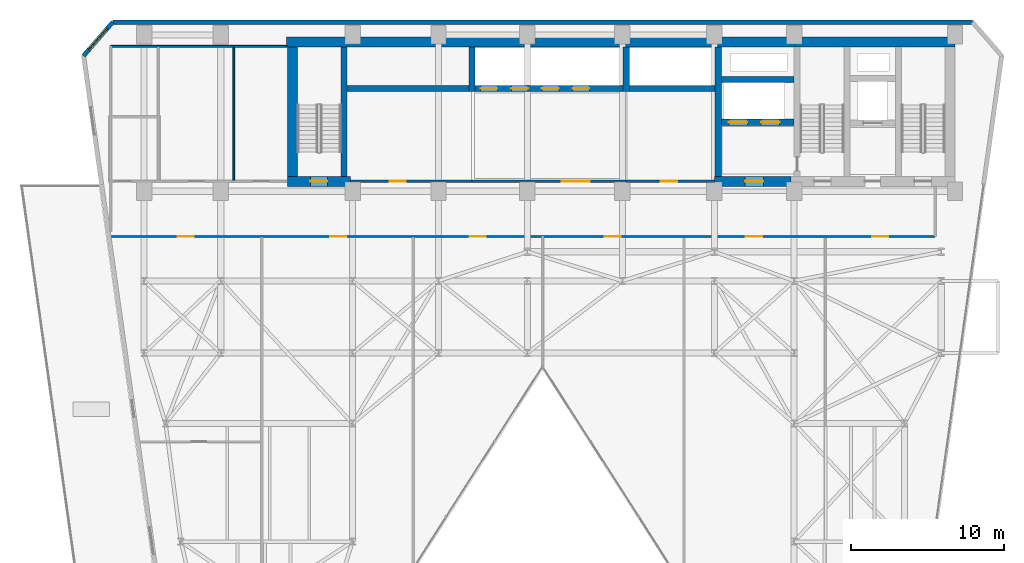
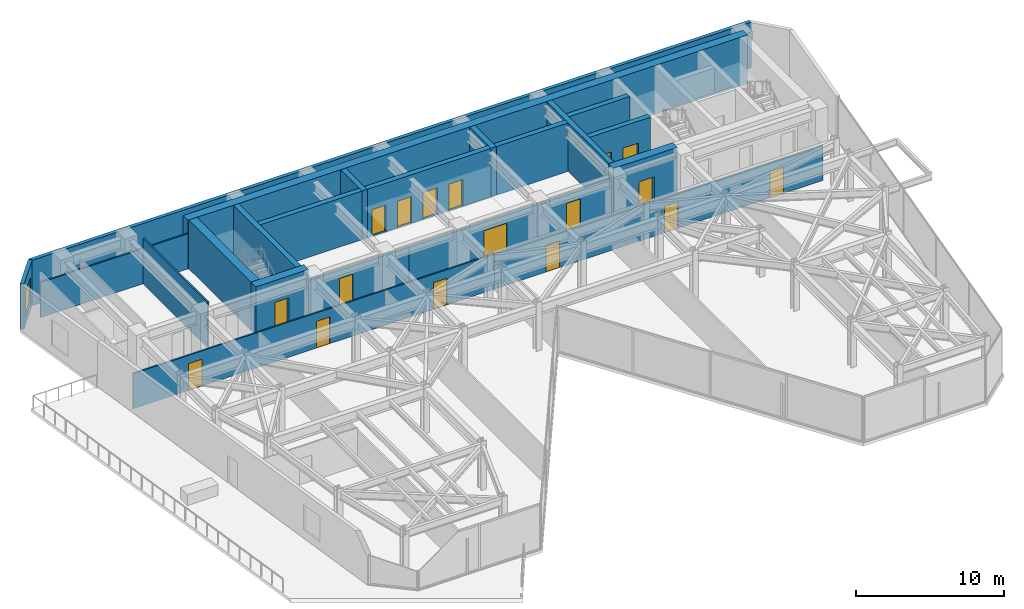
# One storey, part 20 of 24: 22 walls, 17 doors, 1 window, 18 openings.
"""IFC4 building model written with IfcOpenShell, lengths in metres."""

from ifc_helpers import new_model, si_unit, direction, frame, frame_2d, origin, place, context, subcontext, project, spatial, rectangle, extrude, material, layer, layer_set, type_object, element, fill, save


model = new_model("IFC4")

# Units and contexts
model_context = context("Model", 3, precision=1e-05, world=origin(), true_north=direction((0.0, 1.0)))
body_context = subcontext(model_context, "Body", "Model", "MODEL_VIEW")
ifc_project = project(units=[si_unit("LENGTHUNIT", "METRE"), si_unit("AREAUNIT", "SQUARE_METRE"), si_unit("VOLUMEUNIT", "CUBIC_METRE"), si_unit("PLANEANGLEUNIT", "RADIAN"), si_unit("MASSUNIT", "GRAM", prefix="KILO")], contexts=[model_context])

# Site, building, storey
site_placement = place(None, origin())
site = spatial("IfcSite", under=ifc_project, at=site_placement, CompositionType="ELEMENT")
building_placement = place(site_placement, origin())
building = spatial("IfcBuilding", under=site, at=building_placement, Name="Kravanh Interchange Tower", CompositionType="ELEMENT")
storey_placement = place(building_placement, frame((0.0, 0.0, 96.0)))
storey = spatial("IfcBuildingStorey", under=building, at=storey_placement, Name="L22", CompositionType="ELEMENT", Elevation=96.0)

# Walls
ifc_material_1 = material(Name="Double Acoustic Gypsum Board and Mineral Wool")
ifc_layer_1 = layer(ifc_material_1, 0.1201171875)
ifc_layer_set_1 = layer_set([ifc_layer_1], Name="Acoustic Office Drywall Partition 120mm")
wall_type_1 = type_object("IfcWallType", Name="Acoustic Office Drywall Partition 120mm", PredefinedType="PARTITIONING", material=ifc_layer_set_1)
wall_1_placement = place(storey_placement, frame((11.419921875, 46.800048828125, 0.0), z_axis=(0.0, 0.0, 1.0), x_axis=(1.0, 0.0, 0.0)))
element("IfcWall", 1, at=wall_1_placement, inside=storey, type_object=wall_type_1, Name="L22 Restroom North Enclosure 6", PredefinedType="PARTITIONING", context=body_context, shape_type="SweptSolid", body=[
    extrude(rectangle(XDim=11.47998046875, YDim=0.1201171875, at=frame_2d((5.739990234375, 0.0))), origin(), (0.0, 0.0, 1.0), 2.89404296875),
])
wall_2_placement = place(storey_placement, frame((19.449951171875, 38.068115234375, 0.0), z_axis=(0.0, 0.0, 1.0), x_axis=(0.0, 1.0, 0.0)))
element("IfcWall", 2, at=wall_2_placement, inside=storey, type_object=wall_type_1, Name="L22 Interior Partition 8", PredefinedType="PARTITIONING", context=body_context, shape_type="SweptSolid", body=[
    extrude(rectangle(XDim=8.663818359375, YDim=0.1201171875, at=frame_2d((4.33203125, 0.0))), origin(), (0.0, 0.0, 1.0), 3.75),
])

# Wall, openings, doors
wall_3_placement = place(storey_placement, frame((11.469482421875, 34.39990234375, 0.0), z_axis=(0.0, 0.0, 1.0), x_axis=(1.0, 0.0, 0.0)))
wall_3 = element("IfcWall", 3, at=wall_3_placement, inside=storey, type_object=wall_type_1, Name="L22 Interior Partition 10", PredefinedType="PARTITIONING", context=body_context, shape_type="SweptSolid", body=[
    extrude(rectangle(XDim=28.130615234375, YDim=0.1201171875, at=frame_2d((14.0654296875, 0.0))), origin(), (0.0, 0.0, 1.0), 2.89404296875),
])
opening_1_placement = place(wall_3_placement, frame((4.315185546875, 0.0, 0.0)))
opening_1 = element("IfcOpeningElement", 4, at=opening_1_placement, cuts=wall_3, Name="Opening D-105", PredefinedType="OPENING", context=body_context, shape_type="SweptSolid", body=[
    extrude(rectangle(XDim=1.050048828125, YDim=2.199951171875, at=frame_2d((0.52490234375, 1.10009765625))), frame((0.0, 0.070068359375, 0.0), z_axis=(0.0, -1.0, 0.0), x_axis=(1.0, 0.0, 0.0)), (0.0, 0.0, 1.0), 0.14013671875),
])
opening_2_placement = place(wall_3_placement, frame((14.260986328125, 0.0, 0.0)))
opening_2 = element("IfcOpeningElement", 5, at=opening_2_placement, cuts=wall_3, Name="Opening D-105", PredefinedType="OPENING", context=body_context, shape_type="SweptSolid", body=[
    extrude(rectangle(XDim=1.050048828125, YDim=2.199951171875, at=frame_2d((0.52490234375, 1.10009765625))), frame((0.0, 0.070068359375, 0.0), z_axis=(0.0, -1.0, 0.0), x_axis=(1.0, 0.0, 0.0)), (0.0, 0.0, 1.0), 0.14013671875),
])
opening_3_placement = place(wall_3_placement, frame((23.380615234375, 0.0, 0.0)))
opening_3 = element("IfcOpeningElement", 6, at=opening_3_placement, cuts=wall_3, Name="Opening D-105", PredefinedType="OPENING", context=body_context, shape_type="SweptSolid", body=[
    extrude(rectangle(XDim=1.050048828125, YDim=2.199951171875, at=frame_2d((0.52490234375, 1.10009765625))), frame((0.0, 0.070068359375, 0.0), z_axis=(0.0, -1.0, 0.0), x_axis=(1.0, 0.0, 0.0)), (0.0, 0.0, 1.0), 0.14013671875),
])
ifc_material_2 = material(Name="Acoustic Glazed Oak and Aluminium", Category="aluminium")
door_type_1 = type_object("IfcDoorType", Name="Office Workplace Door 1050x2200", OperationType="NOTDEFINED", PredefinedType="DOOR", material=ifc_material_2)
door_1_placement = place(opening_1_placement, origin())
door_1 = element("IfcDoor", 7, at=door_1_placement, inside=storey, type_object=door_type_1, Name="L22 West Partner Office Door", OperationType="SINGLE_SWING_LEFT", OverallHeight=2.199951171875, OverallWidth=1.050048828125, PredefinedType="DOOR", context=body_context, shape_type="SweptSolid", body=[
    extrude(rectangle(XDim=1.050048828125, YDim=2.199951171875, at=frame_2d((0.52490234375, 1.10009765625))), frame((0.0, 0.02490234375, 0.0), z_axis=(0.0, -1.0, 0.0), x_axis=(1.0, 0.0, 0.0)), (0.0, 0.0, 1.0), 0.050048828125),
])
fill(opening_1, door_1)
door_2_placement = place(opening_2_placement, origin())
door_2 = element("IfcDoor", 8, at=door_2_placement, inside=storey, type_object=door_type_1, Name="L22 West Associates Office Door", OperationType="SINGLE_SWING_LEFT", OverallHeight=2.199951171875, OverallWidth=1.050048828125, PredefinedType="DOOR", context=body_context, shape_type="SweptSolid", body=[
    extrude(rectangle(XDim=1.050048828125, YDim=2.199951171875, at=frame_2d((0.52490234375, 1.10009765625))), frame((0.0, 0.02490234375, 0.0), z_axis=(0.0, -1.0, 0.0), x_axis=(1.0, 0.0, 0.0)), (0.0, 0.0, 1.0), 0.050048828125),
])
fill(opening_2, door_2)
door_3_placement = place(opening_3_placement, origin())
door_3 = element("IfcDoor", 9, at=door_3_placement, inside=storey, type_object=door_type_1, Name="L22 Notch View Office Door", OperationType="SINGLE_SWING_RIGHT", OverallHeight=2.199951171875, OverallWidth=1.050048828125, PredefinedType="DOOR", context=body_context, shape_type="SweptSolid", body=[
    extrude(rectangle(XDim=1.050048828125, YDim=2.199951171875, at=frame_2d((0.52490234375, 1.10009765625))), frame((0.0, 0.02490234375, 0.0), z_axis=(0.0, -1.0, 0.0), x_axis=(1.0, 0.0, 0.0)), (0.0, 0.0, 1.0), 0.050048828125),
])
fill(opening_3, door_3)

wall_4_placement = place(storey_placement, frame((39.60009765625, 34.39990234375, 0.0), z_axis=(0.0, 0.0, 1.0), x_axis=(1.0, 0.0, 0.0)))
wall_4 = element("IfcWall", 10, at=wall_4_placement, inside=storey, type_object=wall_type_1, Name="L22 Interior Partition 11", PredefinedType="PARTITIONING", context=body_context, shape_type="SweptSolid", body=[
    extrude(rectangle(XDim=25.599853515625, YDim=0.1201171875, at=frame_2d((12.7998046875, 0.0))), origin(), (0.0, 0.0, 1.0), 2.89404296875),
])
opening_4_placement = place(wall_4_placement, frame((4.044677734375, 0.0, 0.0)))
opening_4 = element("IfcOpeningElement", 11, at=opening_4_placement, cuts=wall_4, Name="Opening D-105", PredefinedType="OPENING", context=body_context, shape_type="SweptSolid", body=[
    extrude(rectangle(XDim=1.050048828125, YDim=2.199951171875, at=frame_2d((0.52490234375, 1.10009765625))), frame((0.0, 0.070068359375, 0.0), z_axis=(0.0, -1.0, 0.0), x_axis=(1.0, 0.0, 0.0)), (0.0, 0.0, 1.0), 0.14013671875),
])
opening_5_placement = place(wall_4_placement, frame((13.259765625, 0.0, 0.0)))
opening_5 = element("IfcOpeningElement", 12, at=opening_5_placement, cuts=wall_4, Name="Opening D-105", PredefinedType="OPENING", context=body_context, shape_type="SweptSolid", body=[
    extrude(rectangle(XDim=1.050048828125, YDim=2.199951171875, at=frame_2d((0.52490234375, 1.10009765625))), frame((0.0, 0.070068359375, 0.0), z_axis=(0.0, -1.0, 0.0), x_axis=(1.0, 0.0, 0.0)), (0.0, 0.0, 1.0), 0.14013671875),
])
opening_6_placement = place(wall_4_placement, frame((21.489990234375, 0.0, 0.0)))
opening_6 = element("IfcOpeningElement", 13, at=opening_6_placement, cuts=wall_4, Name="Opening D-105", PredefinedType="OPENING", context=body_context, shape_type="SweptSolid", body=[
    extrude(rectangle(XDim=1.050048828125, YDim=2.199951171875, at=frame_2d((0.52490234375, 1.10009765625))), frame((0.0, 0.070068359375, 0.0), z_axis=(0.0, -1.0, 0.0), x_axis=(1.0, 0.0, 0.0)), (0.0, 0.0, 1.0), 0.14013671875),
])
door_4_placement = place(opening_4_placement, origin())
door_4 = element("IfcDoor", 14, at=door_4_placement, inside=storey, type_object=door_type_1, Name="L22 Central Executive Office Door", OperationType="SINGLE_SWING_LEFT", OverallHeight=2.199951171875, OverallWidth=1.050048828125, PredefinedType="DOOR", context=body_context, shape_type="SweptSolid", body=[
    extrude(rectangle(XDim=1.050048828125, YDim=2.199951171875, at=frame_2d((0.52490234375, 1.10009765625))), frame((0.0, 0.02490234375, 0.0), z_axis=(0.0, -1.0, 0.0), x_axis=(1.0, 0.0, 0.0)), (0.0, 0.0, 1.0), 0.050048828125),
])
fill(opening_4, door_4)
door_5_placement = place(opening_5_placement, origin())
door_5 = element("IfcDoor", 15, at=door_5_placement, inside=storey, type_object=door_type_1, Name="L22 East Balcony Office Door", OperationType="SINGLE_SWING_RIGHT", OverallHeight=2.199951171875, OverallWidth=1.050048828125, PredefinedType="DOOR", context=body_context, shape_type="SweptSolid", body=[
    extrude(rectangle(XDim=1.050048828125, YDim=2.199951171875, at=frame_2d((0.52490234375, 1.10009765625))), frame((0.0, 0.02490234375, 0.0), z_axis=(0.0, -1.0, 0.0), x_axis=(1.0, 0.0, 0.0)), (0.0, 0.0, 1.0), 0.050048828125),
])
fill(opening_5, door_5)
door_6_placement = place(opening_6_placement, origin())
door_6 = element("IfcDoor", 16, at=door_6_placement, inside=storey, type_object=door_type_1, Name="L22 SE Corner Lounge Door", OperationType="SINGLE_SWING_LEFT", OverallHeight=2.199951171875, OverallWidth=1.050048828125, PredefinedType="DOOR", context=body_context, shape_type="SweptSolid", body=[
    extrude(rectangle(XDim=1.050048828125, YDim=2.199951171875, at=frame_2d((0.52490234375, 1.10009765625))), frame((0.0, 0.02490234375, 0.0), z_axis=(0.0, -1.0, 0.0), x_axis=(1.0, 0.0, 0.0)), (0.0, 0.0, 1.0), 0.050048828125),
])
fill(opening_6, door_6)

# Wall
ifc_material_3 = material(Name="Concrete C70/85", Category="concrete")
ifc_layer_2 = layer(ifc_material_3, 0.64990234375)
ifc_layer_set_2 = layer_set([ifc_layer_2], Name="Core Shear Wall Concrete C70/85 650mm")
wall_type_2 = type_object("IfcWallType", Name="Core Shear Wall Concrete C70/85 650mm", PredefinedType="SHEAR", material=ifc_layer_set_2)
wall_5_placement = place(storey_placement, frame((22.89990234375, 47.074951171875, 0.0), z_axis=(0.0, 0.0, 1.0), x_axis=(1.0, 0.0, 0.0)))
element("IfcWall", 17, at=wall_5_placement, inside=storey, type_object=wall_type_2, Name="L22 North Core Shear Wall", PredefinedType="SHEAR", context=body_context, shape_type="SweptSolid", body=[
    extrude(rectangle(XDim=43.60009765625, YDim=0.64990234375, at=frame_2d((21.800048828125, 0.0))), origin(), (0.0, 0.0, 1.0), 4.0),
])

# Wall, opening, door
wall_6_placement = place(storey_placement, frame((50.800048828125, 38.0, 0.0), z_axis=(0.0, 0.0, 1.0), x_axis=(1.0, 0.0, 0.0)))
wall_6 = element("IfcWall", 18, at=wall_6_placement, inside=storey, type_object=wall_type_2, Name="L22 Firefighting Lobby South Shear Wall", PredefinedType="SHEAR", context=body_context, shape_type="SweptSolid", body=[
    extrude(rectangle(XDim=5.0, YDim=0.64990234375, at=frame_2d((2.5, 0.0))), origin(), (0.0, 0.0, 1.0), 4.0),
])
opening_7_placement = place(wall_6_placement, frame((2.0, 0.0, 0.0)))
opening_7 = element("IfcOpeningElement", 19, at=opening_7_placement, cuts=wall_6, Name="Opening D-FSAE-120", PredefinedType="OPENING", context=body_context, shape_type="SweptSolid", body=[
    extrude(rectangle(XDim=1.199951171875, YDim=2.199951171875, at=frame_2d((0.60009765625, 1.10009765625))), frame((0.0, 0.3349609375, 0.0), z_axis=(0.0, -1.0, 0.0), x_axis=(1.0, 0.0, 0.0)), (0.0, 0.0, 1.0), 0.669921875),
])
ifc_material_4 = material(Name="Structural Steel S355", Category="steel")
door_type_2 = type_object("IfcDoorType", Name="Fire-Rated Refuge and FSAE Door 1200x2200", OperationType="NOTDEFINED", PredefinedType="DOOR", material=ifc_material_4)
door_7_placement = place(opening_7_placement, origin())
door_7 = element("IfcDoor", 20, at=door_7_placement, inside=storey, type_object=door_type_2, Name="L22 Firefighting Lobby Corridor Door", OperationType="SINGLE_SWING_RIGHT", OverallHeight=2.199951171875, OverallWidth=1.199951171875, PredefinedType="DOOR", context=body_context, shape_type="SweptSolid", body=[
    extrude(rectangle(XDim=1.199951171875, YDim=2.199951171875, at=frame_2d((0.60009765625, 1.10009765625))), frame((0.0, 0.02490234375, 0.0), z_axis=(0.0, -1.0, 0.0), x_axis=(1.0, 0.0, 0.0)), (0.0, 0.0, 1.0), 0.050048828125),
])
fill(opening_7, door_7)

wall_7_placement = place(storey_placement, frame((22.949951171875, 38.0, 0.0), z_axis=(0.0, 0.0, 1.0), x_axis=(1.0, 0.0, 0.0)))
wall_7 = element("IfcWall", 21, at=wall_7_placement, inside=storey, type_object=wall_type_2, Name="L22 Stair ST3 South Shear Wall", PredefinedType="SHEAR", context=body_context, shape_type="SweptSolid", body=[
    extrude(rectangle(XDim=4.10009765625, YDim=0.64990234375, at=frame_2d((2.050048828125, 0.0))), origin(), (0.0, 0.0, 1.0), 4.0),
])
opening_8_placement = place(wall_7_placement, frame((1.5, 0.0, 0.0)))
opening_8 = element("IfcOpeningElement", 22, at=opening_8_placement, cuts=wall_7, Name="Opening D-STAIR-110", PredefinedType="OPENING", context=body_context, shape_type="SweptSolid", body=[
    extrude(rectangle(XDim=1.10009765625, YDim=2.199951171875, at=frame_2d((0.550048828125, 1.10009765625))), frame((0.0, 0.3349609375, 0.0), z_axis=(0.0, -1.0, 0.0), x_axis=(1.0, 0.0, 0.0)), (0.0, 0.0, 1.0), 0.669921875),
])
ifc_material_5 = material(Name="Structural Steel S355", Category="steel")
door_type_3 = type_object("IfcDoorType", Name="Fire-Rated Exit Stair Door 1100x2200", OperationType="NOTDEFINED", PredefinedType="DOOR", material=ifc_material_5)
door_8_placement = place(opening_8_placement, origin())
door_8 = element("IfcDoor", 23, at=door_8_placement, inside=storey, type_object=door_type_3, Name="L22 Exit Stair ST3 Door", OperationType="SINGLE_SWING_RIGHT", OverallHeight=2.199951171875, OverallWidth=1.10009765625, PredefinedType="DOOR", context=body_context, shape_type="SweptSolid", body=[
    extrude(rectangle(XDim=1.10009765625, YDim=2.199951171875, at=frame_2d((0.550048828125, 1.10009765625))), frame((0.0, 0.02490234375, 0.0), z_axis=(0.0, -1.0, 0.0), x_axis=(1.0, 0.0, 0.0)), (0.0, 0.0, 1.0), 0.050048828125),
])
fill(opening_8, door_8)

# Wall
wall_8_placement = place(storey_placement, frame((23.27490234375, 38.324951171875, 0.0), z_axis=(0.0, 0.0, 1.0), x_axis=(0.0, 1.0, 0.0)))
element("IfcWall", 24, at=wall_8_placement, inside=storey, type_object=wall_type_2, Name="L22 Stair ST3 West Shear Wall", PredefinedType="SHEAR", context=body_context, shape_type="SweptSolid", body=[
    extrude(rectangle(XDim=8.425048828125, YDim=0.64990234375, at=frame_2d((4.21240234375, 0.0))), origin(), (0.0, 0.0, 1.0), 4.0),
])

# Wall, openings, doors
ifc_material_6 = material(Name="Concrete C80/95", Category="concrete")
ifc_layer_3 = layer(ifc_material_6, 0.39990234375)
ifc_layer_set_3 = layer_set([ifc_layer_3], Name="Core Shear Wall Concrete C80/95 400mm")
wall_type_3 = type_object("IfcWallType", Name="Core Shear Wall Concrete C80/95 400mm", PredefinedType="SHEAR", material=ifc_layer_set_3)
wall_9_placement = place(storey_placement, frame((51.25, 41.85009765625, 0.0), z_axis=(0.0, 0.0, 1.0), x_axis=(1.0, 0.0, 0.0)))
wall_9 = element("IfcWall", 25, at=wall_9_placement, inside=storey, type_object=wall_type_3, Name="L22 Fire Lift Shaft South Wall", PredefinedType="SHEAR", context=body_context, shape_type="SweptSolid", body=[
    extrude(rectangle(XDim=4.75, YDim=0.39990234375, at=frame_2d((2.375, 0.0))), origin(), (0.0, 0.0, 1.0), 4.0),
])
opening_9_placement = place(wall_9_placement, frame((0.5, 0.0, 0.0)))
opening_9 = element("IfcOpeningElement", 26, at=opening_9_placement, cuts=wall_9, Name="Opening LD02", PredefinedType="OPENING", context=body_context, shape_type="SweptSolid", body=[
    extrude(rectangle(XDim=1.199951171875, YDim=2.199951171875, at=frame_2d((0.60009765625, 1.10009765625))), frame((0.0, 0.2099609375, 0.0), z_axis=(0.0, -1.0, 0.0), x_axis=(1.0, 0.0, 0.0)), (0.0, 0.0, 1.0), 0.419921875),
])
opening_10_placement = place(wall_9_placement, frame((2.60009765625, 0.0, 0.0)))
opening_10 = element("IfcOpeningElement", 27, at=opening_10_placement, cuts=wall_9, Name="Opening LD02", PredefinedType="OPENING", context=body_context, shape_type="SweptSolid", body=[
    extrude(rectangle(XDim=1.199951171875, YDim=2.199951171875, at=frame_2d((0.60009765625, 1.10009765625))), frame((0.0, 0.2099609375, 0.0), z_axis=(0.0, -1.0, 0.0), x_axis=(1.0, 0.0, 0.0)), (0.0, 0.0, 1.0), 0.419921875),
])
ifc_material_7 = material(Name="Stainless Steel 316", Category="steel")
door_type_4 = type_object("IfcDoorType", Name="Fire and Service Lift Sliding Landing Door 1200x2200", OperationType="DOUBLE_DOOR_SLIDING", PredefinedType="DOOR", material=ifc_material_7)
door_9_placement = place(opening_9_placement, origin())
door_9 = element("IfcDoor", 28, at=door_9_placement, inside=storey, type_object=door_type_4, Name="L22 Lift FSAE-01 Landing Door", OperationType="DOUBLE_DOOR_SLIDING", OverallHeight=2.199951171875, OverallWidth=1.199951171875, PredefinedType="DOOR", context=body_context, shape_type="SweptSolid", body=[
    extrude(rectangle(XDim=1.199951171875, YDim=2.199951171875, at=frame_2d((0.60009765625, 1.10009765625))), frame((0.0, 0.02490234375, 0.0), z_axis=(0.0, -1.0, 0.0), x_axis=(1.0, 0.0, 0.0)), (0.0, 0.0, 1.0), 0.050048828125),
])
fill(opening_9, door_9)
door_10_placement = place(opening_10_placement, origin())
door_10 = element("IfcDoor", 29, at=door_10_placement, inside=storey, type_object=door_type_4, Name="L22 Lift FSAE-02 Landing Door", OperationType="DOUBLE_DOOR_SLIDING", OverallHeight=2.199951171875, OverallWidth=1.199951171875, PredefinedType="DOOR", context=body_context, shape_type="SweptSolid", body=[
    extrude(rectangle(XDim=1.199951171875, YDim=2.199951171875, at=frame_2d((0.60009765625, 1.10009765625))), frame((0.0, 0.02490234375, 0.0), z_axis=(0.0, -1.0, 0.0), x_axis=(1.0, 0.0, 0.0)), (0.0, 0.0, 1.0), 0.050048828125),
])
fill(opening_10, door_10)

# Walls
wall_10_placement = place(storey_placement, frame((51.25, 44.64990234375, 0.0), z_axis=(0.0, 0.0, 1.0), x_axis=(1.0, 0.0, 0.0)))
element("IfcWall", 30, at=wall_10_placement, inside=storey, type_object=wall_type_3, Name="L22 Fire Lift Shaft North Wall", PredefinedType="SHEAR", context=body_context, shape_type="SweptSolid", body=[
    extrude(rectangle(XDim=4.75, YDim=0.39990234375, at=frame_2d((2.375, 0.0))), origin(), (0.0, 0.0, 1.0), 4.0),
])
wall_11_placement = place(storey_placement, frame((51.050048828125, 38.324951171875, 0.0), z_axis=(0.0, 0.0, 1.0), x_axis=(0.0, 1.0, 0.0)))
element("IfcWall", 31, at=wall_11_placement, inside=storey, type_object=wall_type_3, Name="L22 Firefighting Lobby West Wall", PredefinedType="SHEAR", context=body_context, shape_type="SweptSolid", body=[
    extrude(rectangle(XDim=8.425048828125, YDim=0.39990234375, at=frame_2d((4.21240234375, 0.0))), origin(), (0.0, 0.0, 1.0), 4.0),
])
wall_12_placement = place(storey_placement, frame((45.25, 44.050048828125, 0.0), z_axis=(0.0, 0.0, 1.0), x_axis=(1.0, 0.0, 0.0)))
element("IfcWall", 32, at=wall_12_placement, inside=storey, type_object=wall_type_3, Name="L22 High-Rise Lift Shaft South Wall", PredefinedType="SHEAR", context=body_context, shape_type="SweptSolid", body=[
    extrude(rectangle(XDim=5.60009765625, YDim=0.39990234375, at=frame_2d((2.800048828125, 0.0))), origin(), (0.0, 0.0, 1.0), 4.0),
])
wall_13_placement = place(storey_placement, frame((45.050048828125, 43.85009765625, 0.0), z_axis=(0.0, 0.0, 1.0), x_axis=(0.0, 1.0, 0.0)))
element("IfcWall", 33, at=wall_13_placement, inside=storey, type_object=wall_type_3, Name="L22 High-Rise Lift Shaft West Wall", PredefinedType="SHEAR", context=body_context, shape_type="SweptSolid", body=[
    extrude(rectangle(XDim=2.89990234375, YDim=0.39990234375, at=frame_2d((1.449951171875, 0.0))), origin(), (0.0, 0.0, 1.0), 4.0),
])

# Wall, openings, doors
wall_14_placement = place(storey_placement, frame((35.199951171875, 44.050048828125, 0.0), z_axis=(0.0, 0.0, 1.0), x_axis=(1.0, 0.0, 0.0)))
wall_14 = element("IfcWall", 34, at=wall_14_placement, inside=storey, type_object=wall_type_3, Name="L22 Mid-Rise Lift Shaft South Wall", PredefinedType="SHEAR", context=body_context, shape_type="SweptSolid", body=[
    extrude(rectangle(XDim=9.650146484375, YDim=0.39990234375, at=frame_2d((4.8251953125, 0.0))), origin(), (0.0, 0.0, 1.0), 4.0),
])
opening_11_placement = place(wall_14_placement, frame((0.35009765625, 0.0, 0.0)))
opening_11 = element("IfcOpeningElement", 35, at=opening_11_placement, cuts=wall_14, Name="Opening LD01", PredefinedType="OPENING", context=body_context, shape_type="SweptSolid", body=[
    extrude(rectangle(XDim=1.10009765625, YDim=2.199951171875, at=frame_2d((0.550048828125, 1.10009765625))), frame((0.0, 0.2099609375, 0.0), z_axis=(0.0, -1.0, 0.0), x_axis=(1.0, 0.0, 0.0)), (0.0, 0.0, 1.0), 0.419921875),
])
opening_12_placement = place(wall_14_placement, frame((2.35009765625, 0.0, 0.0)))
opening_12 = element("IfcOpeningElement", 36, at=opening_12_placement, cuts=wall_14, Name="Opening LD01", PredefinedType="OPENING", context=body_context, shape_type="SweptSolid", body=[
    extrude(rectangle(XDim=1.10009765625, YDim=2.199951171875, at=frame_2d((0.550048828125, 1.10009765625))), frame((0.0, 0.2099609375, 0.0), z_axis=(0.0, -1.0, 0.0), x_axis=(1.0, 0.0, 0.0)), (0.0, 0.0, 1.0), 0.419921875),
])
opening_13_placement = place(wall_14_placement, frame((4.35009765625, 0.0, 0.0)))
opening_13 = element("IfcOpeningElement", 37, at=opening_13_placement, cuts=wall_14, Name="Opening LD01", PredefinedType="OPENING", context=body_context, shape_type="SweptSolid", body=[
    extrude(rectangle(XDim=1.10009765625, YDim=2.199951171875, at=frame_2d((0.550048828125, 1.10009765625))), frame((0.0, 0.2099609375, 0.0), z_axis=(0.0, -1.0, 0.0), x_axis=(1.0, 0.0, 0.0)), (0.0, 0.0, 1.0), 0.419921875),
])
opening_14_placement = place(wall_14_placement, frame((6.35009765625, 0.0, 0.0)))
opening_14 = element("IfcOpeningElement", 38, at=opening_14_placement, cuts=wall_14, Name="Opening LD01", PredefinedType="OPENING", context=body_context, shape_type="SweptSolid", body=[
    extrude(rectangle(XDim=1.10009765625, YDim=2.199951171875, at=frame_2d((0.550048828125, 1.10009765625))), frame((0.0, 0.2099609375, 0.0), z_axis=(0.0, -1.0, 0.0), x_axis=(1.0, 0.0, 0.0)), (0.0, 0.0, 1.0), 0.419921875),
])
ifc_material_8 = material(Name="Stainless Steel 304", Category="steel")
door_type_5 = type_object("IfcDoorType", Name="Passenger Lift Sliding Landing Door 1100x2200", OperationType="DOUBLE_DOOR_SLIDING", PredefinedType="DOOR", material=ifc_material_8)
door_11_placement = place(opening_11_placement, origin())
door_11 = element("IfcDoor", 39, at=door_11_placement, inside=storey, type_object=door_type_5, Name="L22 Lift LP-M1 Landing Door", OperationType="DOUBLE_DOOR_SLIDING", OverallHeight=2.199951171875, OverallWidth=1.10009765625, PredefinedType="DOOR", context=body_context, shape_type="SweptSolid", body=[
    extrude(rectangle(XDim=1.10009765625, YDim=2.199951171875, at=frame_2d((0.550048828125, 1.10009765625))), frame((0.0, 0.02490234375, 0.0), z_axis=(0.0, -1.0, 0.0), x_axis=(1.0, 0.0, 0.0)), (0.0, 0.0, 1.0), 0.050048828125),
])
fill(opening_11, door_11)
door_12_placement = place(opening_12_placement, origin())
door_12 = element("IfcDoor", 40, at=door_12_placement, inside=storey, type_object=door_type_5, Name="L22 Lift LP-M2 Landing Door", OperationType="DOUBLE_DOOR_SLIDING", OverallHeight=2.199951171875, OverallWidth=1.10009765625, PredefinedType="DOOR", context=body_context, shape_type="SweptSolid", body=[
    extrude(rectangle(XDim=1.10009765625, YDim=2.199951171875, at=frame_2d((0.550048828125, 1.10009765625))), frame((0.0, 0.02490234375, 0.0), z_axis=(0.0, -1.0, 0.0), x_axis=(1.0, 0.0, 0.0)), (0.0, 0.0, 1.0), 0.050048828125),
])
fill(opening_12, door_12)
door_13_placement = place(opening_13_placement, origin())
door_13 = element("IfcDoor", 41, at=door_13_placement, inside=storey, type_object=door_type_5, Name="L22 Lift LP-M3 Landing Door", OperationType="DOUBLE_DOOR_SLIDING", OverallHeight=2.199951171875, OverallWidth=1.10009765625, PredefinedType="DOOR", context=body_context, shape_type="SweptSolid", body=[
    extrude(rectangle(XDim=1.10009765625, YDim=2.199951171875, at=frame_2d((0.550048828125, 1.10009765625))), frame((0.0, 0.02490234375, 0.0), z_axis=(0.0, -1.0, 0.0), x_axis=(1.0, 0.0, 0.0)), (0.0, 0.0, 1.0), 0.050048828125),
])
fill(opening_13, door_13)
door_14_placement = place(opening_14_placement, origin())
door_14 = element("IfcDoor", 42, at=door_14_placement, inside=storey, type_object=door_type_5, Name="L22 Lift LP-M4 Landing Door", OperationType="DOUBLE_DOOR_SLIDING", OverallHeight=2.199951171875, OverallWidth=1.10009765625, PredefinedType="DOOR", context=body_context, shape_type="SweptSolid", body=[
    extrude(rectangle(XDim=1.10009765625, YDim=2.199951171875, at=frame_2d((0.550048828125, 1.10009765625))), frame((0.0, 0.02490234375, 0.0), z_axis=(0.0, -1.0, 0.0), x_axis=(1.0, 0.0, 0.0)), (0.0, 0.0, 1.0), 0.050048828125),
])
fill(opening_14, door_14)

# Walls
wall_15_placement = place(storey_placement, frame((35.0, 43.85009765625, 0.0), z_axis=(0.0, 0.0, 1.0), x_axis=(0.0, 1.0, 0.0)))
element("IfcWall", 43, at=wall_15_placement, inside=storey, type_object=wall_type_3, Name="L22 Mid-Rise Lift Shaft West Wall", PredefinedType="SHEAR", context=body_context, shape_type="SweptSolid", body=[
    extrude(rectangle(XDim=2.89990234375, YDim=0.39990234375, at=frame_2d((1.449951171875, 0.0))), origin(), (0.0, 0.0, 1.0), 4.0),
])
wall_16_placement = place(storey_placement, frame((26.85009765625, 44.050048828125, 0.0), z_axis=(0.0, 0.0, 1.0), x_axis=(1.0, 0.0, 0.0)))
element("IfcWall", 44, at=wall_16_placement, inside=storey, type_object=wall_type_3, Name="L22 Low-Rise Lift Shaft South Wall", PredefinedType="SHEAR", context=body_context, shape_type="SweptSolid", body=[
    extrude(rectangle(XDim=7.949951171875, YDim=0.39990234375, at=frame_2d((3.97509765625, 0.0))), origin(), (0.0, 0.0, 1.0), 4.0),
])
wall_17_placement = place(storey_placement, frame((26.64990234375, 38.324951171875, 0.0), z_axis=(0.0, 0.0, 1.0), x_axis=(0.0, 1.0, 0.0)))
element("IfcWall", 45, at=wall_17_placement, inside=storey, type_object=wall_type_3, Name="L22 Stair ST3 East Shear Wall", PredefinedType="SHEAR", context=body_context, shape_type="SweptSolid", body=[
    extrude(rectangle(XDim=8.425048828125, YDim=0.39990234375, at=frame_2d((4.21240234375, 0.0))), origin(), (0.0, 0.0, 1.0), 4.0),
])

# Wall, opening, window
ifc_material_9 = material(Name="Insulated Precast Concrete C40/50 with Bronze Cladding", Category="concrete")
ifc_layer_4 = layer(ifc_material_9, 0.280029296875)
ifc_layer_set_4 = layer_set([ifc_layer_4], Name="Exterior Insulated Concrete C40/50 Bronze Spandrel Wall 280mm")
wall_type_4 = type_object("IfcWallType", Name="Exterior Insulated Concrete C40/50 Bronze Spandrel Wall 280mm", PredefinedType="STANDARD", material=ifc_layer_set_4)
wall_18_placement = place(storey_placement, frame((9.646484375, 46.184814453125, 0.0), z_axis=(0.0, 0.0, 1.0), x_axis=(0.656070644076, 0.754699483226, 0.0)))
wall_18 = element("IfcWall", 46, at=wall_18_placement, inside=storey, type_object=wall_type_4, Name="L22 Exterior Wall 3", PredefinedType="STANDARD", context=body_context, shape_type="SweptSolid", body=[
    extrude(rectangle(XDim=2.908447265625, YDim=0.280029296875, at=frame_2d((1.4541015625, 0.0))), origin(), (0.0, 0.0, 1.0), 3.75),
])
opening_15_placement = place(wall_18_placement, frame((0.541015625, 0.0, 0.64990234375)))
opening_15 = element("IfcOpeningElement", 47, at=opening_15_placement, cuts=wall_18, Name="Opening WN-180X210", PredefinedType="OPENING", context=body_context, shape_type="SweptSolid", body=[
    extrude(rectangle(XDim=1.800048828125, YDim=2.10009765625, at=frame_2d((0.89990234375, 1.050048828125))), frame((0.0, 0.14990234375, 0.0), z_axis=(0.0, -1.0, 0.0), x_axis=(1.0, 0.0, 0.0)), (0.0, 0.0, 1.0), 0.300048828125),
])
ifc_material_10 = material(Name="Thermally Broken Bronze Aluminium and Low-E Glass", Category="aluminium")
window_type = type_object("IfcWindowType", Name="Tower Pier Window 1800x2100", PartitioningType="SINGLE_PANEL", PredefinedType="WINDOW", material=ifc_material_10)
window_placement = place(opening_15_placement, origin())
window = element("IfcWindow", 48, at=window_placement, inside=storey, type_object=window_type, Name="L22 Corner Window 3", OverallHeight=2.10009765625, OverallWidth=1.800048828125, PartitioningType="SINGLE_PANEL", PredefinedType="WINDOW", context=body_context, shape_type="SweptSolid", body=[
    extrude(rectangle(XDim=1.800048828125, YDim=2.10009765625, at=frame_2d((0.89990234375, 1.050048828125))), frame((0.0, 0.030029296875, 0.0), z_axis=(0.0, -1.0, 0.0), x_axis=(1.0, 0.0, 0.0)), (0.0, 0.0, 1.0), 0.06005859375),
])
fill(opening_15, window)

# Wall
wall_19_placement = place(storey_placement, frame((11.5546875, 48.3798828125, 0.0), z_axis=(0.0, 0.0, 1.0), x_axis=(1.0, 0.0, 0.0)))
element("IfcWall", 49, at=wall_19_placement, inside=storey, type_object=wall_type_4, Name="L22 Exterior Wall 4", PredefinedType="STANDARD", context=body_context, shape_type="SweptSolid", body=[
    extrude(rectangle(XDim=56.090576171875, YDim=0.280029296875, at=frame_2d((28.04541015625, 0.0))), origin(), (0.0, 0.0, 1.0), 3.75),
])

# Wall, opening, door
ifc_material_11 = material(Name="Autoclaved Aerated Concrete C30/37 Blockwork", Category="masonry")
ifc_layer_5 = layer(ifc_material_11, 0.179931640625)
ifc_layer_set_5 = layer_set([ifc_layer_5], Name="Fire-Rated Lobby and Corridor Wall Concrete C30/37 180mm")
wall_type_5 = type_object("IfcWallType", Name="Fire-Rated Lobby and Corridor Wall Concrete C30/37 180mm", PredefinedType="STANDARD", material=ifc_layer_set_5)
wall_20_placement = place(storey_placement, frame((45.050048828125, 38.0, 0.0), z_axis=(0.0, 0.0, 1.0), x_axis=(1.0, 0.0, 0.0)))
wall_20 = element("IfcWall", 50, at=wall_20_placement, inside=storey, type_object=wall_type_5, Name="L22 Core South Enclosure 1", PredefinedType="STANDARD", context=body_context, shape_type="SweptSolid", body=[
    extrude(rectangle(XDim=5.75, YDim=0.179931640625, at=frame_2d((2.875, 0.0))), origin(), (0.0, 0.0, 1.0), 2.89404296875),
])
opening_16_placement = place(wall_20_placement, frame((2.240478515625, 0.0, 0.0)))
opening_16 = element("IfcOpeningElement", 51, at=opening_16_placement, cuts=wall_20, Name="Opening D-SHAFT-110", PredefinedType="OPENING", context=body_context, shape_type="SweptSolid", body=[
    extrude(rectangle(XDim=1.10009765625, YDim=2.199951171875, at=frame_2d((0.550048828125, 1.10009765625))), frame((0.0, 0.10009765625, 0.0), z_axis=(0.0, -1.0, 0.0), x_axis=(1.0, 0.0, 0.0)), (0.0, 0.0, 1.0), 0.199951171875),
])
ifc_material_12 = material(Name="Fire-Rated Composite Timber Leaf", Category="wood")
door_type_6 = type_object("IfcDoorType", Name="Fire-Rated Core Support Door 1100x2200", OperationType="NOTDEFINED", PredefinedType="DOOR", material=ifc_material_12)
door_15_placement = place(opening_16_placement, origin())
door_15 = element("IfcDoor", 52, at=door_15_placement, inside=storey, type_object=door_type_6, Name="L22 Core AHU Fan Room Door", OperationType="SINGLE_SWING_RIGHT", OverallHeight=2.199951171875, OverallWidth=1.10009765625, PredefinedType="DOOR", context=body_context, shape_type="SweptSolid", body=[
    extrude(rectangle(XDim=1.10009765625, YDim=2.199951171875, at=frame_2d((0.550048828125, 1.10009765625))), frame((0.0, 0.02490234375, 0.0), z_axis=(0.0, -1.0, 0.0), x_axis=(1.0, 0.0, 0.0)), (0.0, 0.0, 1.0), 0.050048828125),
])
fill(opening_16, door_15)

wall_21_placement = place(storey_placement, frame((27.050048828125, 38.0, 0.0), z_axis=(0.0, 0.0, 1.0), x_axis=(1.0, 0.0, 0.0)))
wall_21 = element("IfcWall", 53, at=wall_21_placement, inside=storey, type_object=wall_type_5, Name="L22 Interior Partition 2", PredefinedType="STANDARD", context=body_context, shape_type="SweptSolid", body=[
    extrude(rectangle(XDim=7.949951171875, YDim=0.179931640625, at=frame_2d((3.97509765625, 0.0))), origin(), (0.0, 0.0, 1.0), 2.89404296875),
])
opening_17_placement = place(wall_21_placement, frame((2.56591796875, 0.0, 0.0)))
opening_17 = element("IfcOpeningElement", 54, at=opening_17_placement, cuts=wall_21, Name="Opening D-STAIR-105", PredefinedType="OPENING", context=body_context, shape_type="SweptSolid", body=[
    extrude(rectangle(XDim=1.050048828125, YDim=2.199951171875, at=frame_2d((0.52490234375, 1.10009765625))), frame((0.0, 0.10009765625, 0.0), z_axis=(0.0, -1.0, 0.0), x_axis=(1.0, 0.0, 0.0)), (0.0, 0.0, 1.0), 0.199951171875),
])
ifc_material_13 = material(Name="Structural Steel S355", Category="steel")
door_type_7 = type_object("IfcDoorType", Name="Fire-Rated Overrun Buffer Door 1050x2200", OperationType="NOTDEFINED", PredefinedType="DOOR", material=ifc_material_13)
door_16_placement = place(opening_17_placement, origin())
door_16 = element("IfcDoor", 55, at=door_16_placement, inside=storey, type_object=door_type_7, Name="L22 Low-Rise Overrun Buffer Door", OperationType="SINGLE_SWING_LEFT", OverallHeight=2.199951171875, OverallWidth=1.050048828125, PredefinedType="DOOR", context=body_context, shape_type="SweptSolid", body=[
    extrude(rectangle(XDim=1.050048828125, YDim=2.199951171875, at=frame_2d((0.52490234375, 1.10009765625))), frame((0.0, 0.02490234375, 0.0), z_axis=(0.0, -1.0, 0.0), x_axis=(1.0, 0.0, 0.0)), (0.0, 0.0, 1.0), 0.050048828125),
])
fill(opening_17, door_16)

wall_22_placement = place(storey_placement, frame((35.0, 38.0, 0.0), z_axis=(0.0, 0.0, 1.0), x_axis=(1.0, 0.0, 0.0)))
wall_22 = element("IfcWall", 56, at=wall_22_placement, inside=storey, type_object=wall_type_5, Name="L22 Interior Partition 3", PredefinedType="STANDARD", context=body_context, shape_type="SweptSolid", body=[
    extrude(rectangle(XDim=10.050048828125, YDim=0.179931640625, at=frame_2d((5.02490234375, 0.0))), origin(), (0.0, 0.0, 1.0), 2.89404296875),
])
opening_18_placement = place(wall_22_placement, frame((5.85791015625, 0.0, 0.0)))
opening_18 = element("IfcOpeningElement", 57, at=opening_18_placement, cuts=wall_22, Name="Opening DBL-180", PredefinedType="OPENING", context=body_context, shape_type="SweptSolid", body=[
    extrude(rectangle(XDim=1.800048828125, YDim=2.199951171875, at=frame_2d((0.89990234375, 1.10009765625))), frame((0.0, 0.10009765625, 0.0), z_axis=(0.0, -1.0, 0.0), x_axis=(1.0, 0.0, 0.0)), (0.0, 0.0, 1.0), 0.199951171875),
])
ifc_material_14 = material(Name="Structural Steel S355", Category="steel")
door_type_8 = type_object("IfcDoorType", Name="Lift Lobby Double Fire Door 1800x2200", OperationType="DOUBLE_DOOR_SINGLE_SWING", PredefinedType="DOOR", material=ifc_material_14)
door_17_placement = place(opening_18_placement, origin())
door_17 = element("IfcDoor", 58, at=door_17_placement, inside=storey, type_object=door_type_8, Name="L22 Mid-Rise Lift Lobby Door", OperationType="DOUBLE_DOOR_SINGLE_SWING", OverallHeight=2.199951171875, OverallWidth=1.800048828125, PredefinedType="DOOR", context=body_context, shape_type="SweptSolid", body=[
    extrude(rectangle(XDim=1.800048828125, YDim=2.199951171875, at=frame_2d((0.89990234375, 1.10009765625))), frame((0.0, 0.02490234375, 0.0), z_axis=(0.0, -1.0, 0.0), x_axis=(1.0, 0.0, 0.0)), (0.0, 0.0, 1.0), 0.050048828125),
])
fill(opening_18, door_17)

save(model, "model.ifc")
